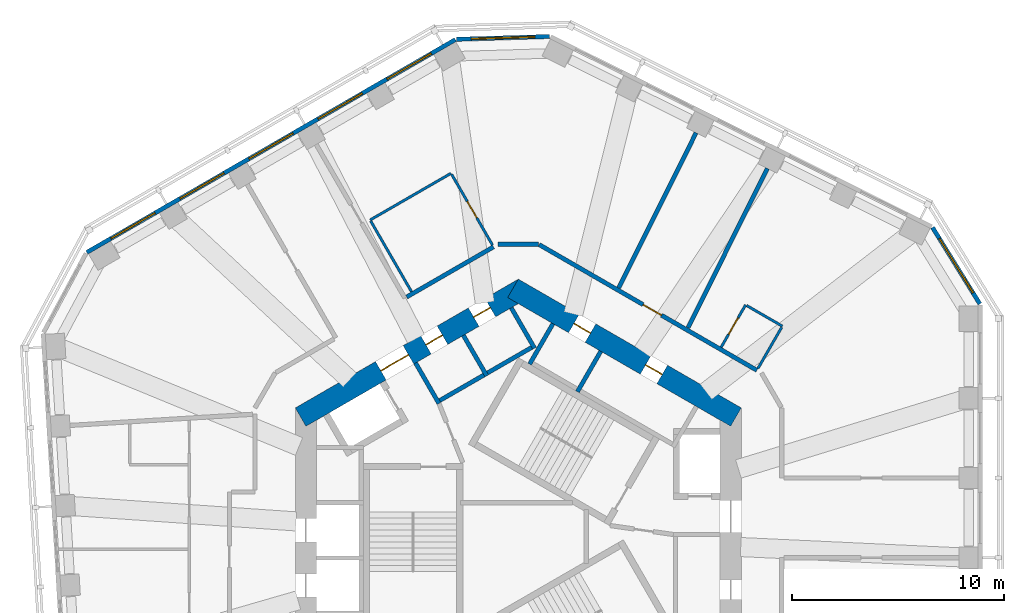
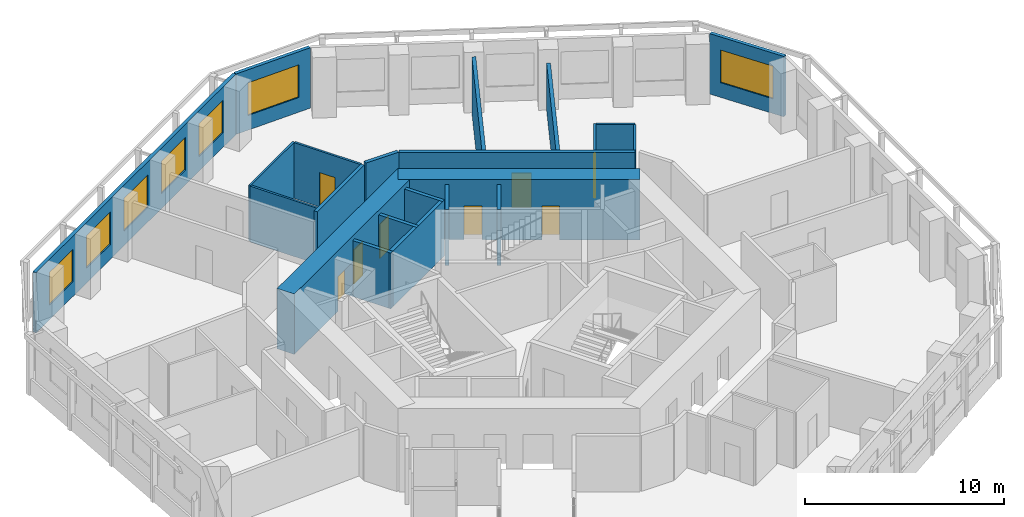
# One storey, part 7 of 11: 22 walls, 8 doors, 7 windows, 15 openings.
"""IFC4 building model written with IfcOpenShell, lengths in metres."""

from ifc_helpers import new_model, si_unit, direction, frame, frame_2d, origin, place, context, subcontext, project, spatial, rectangle, extrude, material, layer, layer_set, type_object, element, fill, save


model = new_model("IFC4")

# Units and contexts
model_context = context("Model", 3, precision=1e-05, world=origin(), true_north=direction((0.0, 1.0)))
body_context = subcontext(model_context, "Body", "Model", "MODEL_VIEW")
ifc_project = project(units=[si_unit("LENGTHUNIT", "METRE"), si_unit("AREAUNIT", "SQUARE_METRE"), si_unit("VOLUMEUNIT", "CUBIC_METRE"), si_unit("PLANEANGLEUNIT", "RADIAN"), si_unit("MASSUNIT", "GRAM", prefix="KILO")], contexts=[model_context])

# Site, building, storey
site_placement = place(None, origin())
site = spatial("IfcSite", under=ifc_project, at=site_placement, CompositionType="ELEMENT")
building_placement = place(site_placement, origin())
building = spatial("IfcBuilding", under=site, at=building_placement, Name="Vanh Sen Convention Tower", CompositionType="ELEMENT")
storey_placement = place(building_placement, frame((0.0, 0.0, 154.0)))
storey = spatial("IfcBuildingStorey", under=building, at=storey_placement, Name="L37", CompositionType="ELEMENT", Elevation=154.0)

# Walls
ifc_material_1 = material(Name="Moisture-resistant gypsum board on steel studs", Category="steel")
ifc_layer_1 = layer(ifc_material_1, 0.1201171875)
ifc_layer_set_1 = layer_set([ifc_layer_1], Name="Moisture-resistant gypsum board on steel studs")
wall_type_1 = type_object("IfcWallType", Name="Bathroom partition 120", PredefinedType="PARTITIONING", material=ifc_layer_set_1)
wall_1_placement = place(storey_placement, frame((-6.97705078125, 14.908935546875, 0.0), z_axis=(0.0, 0.0, 1.0), x_axis=(0.866032203192, 0.499988222896, 0.0)))
element("IfcWall", 1, at=wall_1_placement, inside=storey, type_object=wall_type_1, Name="Bathroom partition 120", PredefinedType="PARTITIONING", context=body_context, shape_type="SweptSolid", body=[
    extrude(rectangle(XDim=4.39990234375, YDim=0.1201171875, at=frame_2d((2.199951171875, 0.0))), origin(), (0.0, 0.0, 1.0), 3.419921875),
])
wall_2_placement = place(storey_placement, frame((-5.027099609375, 11.531494140625, 0.0), z_axis=(0.0, 0.0, 1.0), x_axis=(-0.499995802899, 0.866027826969, 0.0)))
element("IfcWall", 2, at=wall_2_placement, inside=storey, type_object=wall_type_1, Name="Bathroom partition 120", PredefinedType="PARTITIONING", context=body_context, shape_type="SweptSolid", body=[
    extrude(rectangle(XDim=3.83984375, YDim=0.1201171875, at=frame_2d((1.919921875, 0.0))), origin(), (0.0, 0.0, 1.0), 3.419921875),
])

# Wall, opening, door
wall_3_placement = place(storey_placement, frame((-3.136474609375, 17.056884765625, 0.0), z_axis=(0.0, 0.0, 1.0), x_axis=(0.499995802899, -0.866027826969, 0.0)))
wall_3 = element("IfcWall", 3, at=wall_3_placement, inside=storey, type_object=wall_type_1, Name="Bathroom partition 120", PredefinedType="PARTITIONING", context=body_context, shape_type="SweptSolid", body=[
    extrude(rectangle(XDim=3.83984375, YDim=0.1201171875, at=frame_2d((1.919921875, 0.0))), origin(), (0.0, 0.0, 1.0), 3.419921875),
])
opening_1_placement = place(wall_3_placement, frame((1.469970703125, 0.0, 0.0)))
opening_1 = element("IfcOpeningElement", 4, at=opening_1_placement, cuts=wall_3, Name="Opening D35105", PredefinedType="OPENING", context=body_context, shape_type="SweptSolid", body=[
    extrude(rectangle(XDim=0.89990234375, YDim=2.10009765625, at=frame_2d((0.449951171875, 1.050048828125))), frame((0.0, 0.070068359375, 0.0), z_axis=(0.0, -1.0, 0.0), x_axis=(1.0, 0.0, 0.0)), (0.0, 0.0, 1.0), 0.14013671875),
])
ifc_material_2 = material(Name="Laminate door in steel frame", Category="steel")
door_type_1 = type_object("IfcDoorType", Name="Room internal door 900", OperationType="SINGLE_SWING_LEFT", PredefinedType="DOOR", material=ifc_material_2)
door_1_placement = place(opening_1_placement, origin())
door_1 = element("IfcDoor", 5, at=door_1_placement, inside=storey, type_object=door_type_1, Name="Internal room door D35105", OperationType="SINGLE_SWING_LEFT", OverallHeight=2.10009765625, OverallWidth=0.89990234375, PredefinedType="DOOR", context=body_context, shape_type="SweptSolid", body=[
    extrude(rectangle(XDim=0.89990234375, YDim=2.10009765625, at=frame_2d((0.449951171875, 1.050048828125))), frame((0.0, 0.02490234375, 0.0), z_axis=(0.0, -1.0, 0.0), x_axis=(1.0, 0.0, 0.0)), (0.0, 0.0, 1.0), 0.050048828125),
])
fill(opening_1, door_1)

wall_4_placement = place(storey_placement, frame((9.551513671875, 8.919189453125, 0.0), z_axis=(0.0, 0.0, 1.0), x_axis=(0.499952165731, 0.866053019151, 0.0)))
wall_4 = element("IfcWall", 6, at=wall_4_placement, inside=storey, type_object=wall_type_1, Name="Bathroom partition 120", PredefinedType="PARTITIONING", context=body_context, shape_type="SweptSolid", body=[
    extrude(rectangle(XDim=2.300048828125, YDim=0.1201171875, at=frame_2d((1.14990234375, 0.0))), origin(), (0.0, 0.0, 1.0), 3.419921875),
])
opening_2_placement = place(wall_4_placement, frame((0.699951171875, 0.0, 0.0)))
opening_2 = element("IfcOpeningElement", 7, at=opening_2_placement, cuts=wall_4, Name="Opening D35102", PredefinedType="OPENING", context=body_context, shape_type="SweptSolid", body=[
    extrude(rectangle(XDim=0.89990234375, YDim=2.10009765625, at=frame_2d((0.449951171875, 1.050048828125))), frame((0.0, 0.070068359375, 0.0), z_axis=(0.0, -1.0, 0.0), x_axis=(1.0, 0.0, 0.0)), (0.0, 0.0, 1.0), 0.14013671875),
])
door_2_placement = place(opening_2_placement, origin())
door_2 = element("IfcDoor", 8, at=door_2_placement, inside=storey, type_object=door_type_1, Name="Internal room door D35102", OperationType="SINGLE_SWING_LEFT", OverallHeight=2.10009765625, OverallWidth=0.89990234375, PredefinedType="DOOR", context=body_context, shape_type="SweptSolid", body=[
    extrude(rectangle(XDim=0.89990234375, YDim=2.10009765625, at=frame_2d((0.449951171875, 1.050048828125))), frame((0.0, 0.02490234375, 0.0), z_axis=(0.0, -1.0, 0.0), x_axis=(1.0, 0.0, 0.0)), (0.0, 0.0, 1.0), 0.050048828125),
])
fill(opening_2, door_2)

# Walls
wall_5_placement = place(storey_placement, frame((10.75341796875, 10.881103515625, 0.0), z_axis=(0.0, 0.0, 1.0), x_axis=(0.866043088465, -0.499969367985, 0.0)))
element("IfcWall", 9, at=wall_5_placement, inside=storey, type_object=wall_type_1, Name="Bathroom partition 120", PredefinedType="PARTITIONING", context=body_context, shape_type="SweptSolid", body=[
    extrude(rectangle(XDim=1.93994140625, YDim=0.1201171875, at=frame_2d((0.969970703125, 0.0))), origin(), (0.0, 0.0, 1.0), 3.419921875),
])
wall_6_placement = place(storey_placement, frame((12.403564453125, 9.859130859375, 0.0), z_axis=(0.0, 0.0, 1.0), x_axis=(-0.500030632641, -0.866007717299, 0.0)))
element("IfcWall", 10, at=wall_6_placement, inside=storey, type_object=wall_type_1, Name="Bathroom partition 120", PredefinedType="PARTITIONING", context=body_context, shape_type="SweptSolid", body=[
    extrude(rectangle(XDim=2.239990234375, YDim=0.1201171875, at=frame_2d((1.1201171875, 0.0))), origin(), (0.0, 0.0, 1.0), 3.419921875),
])

# Wall, openings, doors
ifc_material_3 = material(Name="Concrete C80/95", Category="concrete")
ifc_layer_2 = layer(ifc_material_3, 1.0)
ifc_layer_set_2 = layer_set([ifc_layer_2], Name="Concrete C80/95")
wall_type_2 = type_object("IfcWallType", Name="Core outer wall 1000 C80/95", PredefinedType="SHEAR", material=ifc_layer_set_2)
wall_7_placement = place(storey_placement, frame((10.25, 5.629150390625, 0.0), z_axis=(0.0, 0.0, 1.0), x_axis=(-0.866022616891, 0.50000482701, 0.0)))
wall_7 = element("IfcWall", 11, at=wall_7_placement, inside=storey, type_object=wall_type_2, Name="Core wall face NE L37", PredefinedType="SHEAR", context=body_context, shape_type="SweptSolid", body=[
    extrude(rectangle(XDim=12.12451171875, YDim=1.0, at=frame_2d((6.062255859375, 0.0))), origin(), (0.0, 0.0, 1.0), 3.699951171875),
])
opening_3_placement = place(wall_7_placement, frame((4.01220703125, 0.0, 0.0)))
opening_3 = element("IfcOpeningElement", 12, at=opening_3_placement, cuts=wall_7, Name="Opening D35011", PredefinedType="OPENING", context=body_context, shape_type="SweptSolid", body=[
    extrude(rectangle(XDim=0.89990234375, YDim=2.10009765625, at=frame_2d((0.449951171875, 1.050048828125))), frame((0.0, 0.510009765625, 0.0), z_axis=(0.0, -1.0, 0.0), x_axis=(1.0, 0.0, 0.0)), (0.0, 0.0, 1.0), 1.02001953125),
])
opening_4_placement = place(wall_7_placement, frame((7.912109375, 0.0, 0.0)))
opening_4 = element("IfcOpeningElement", 13, at=opening_4_placement, cuts=wall_7, Name="Opening D35012", PredefinedType="OPENING", context=body_context, shape_type="SweptSolid", body=[
    extrude(rectangle(XDim=0.89990234375, YDim=2.10009765625, at=frame_2d((0.449951171875, 1.050048828125))), frame((0.0, 0.510009765625, 0.0), z_axis=(0.0, -1.0, 0.0), x_axis=(1.0, 0.0, 0.0)), (0.0, 0.0, 1.0), 1.02001953125),
])
ifc_material_4 = material(Name="Steel S355", Category="steel")
door_type_2 = type_object("IfcDoorType", Name="Plant door 900", OperationType="SINGLE_SWING_LEFT", PredefinedType="DOOR", material=ifc_material_4)
door_3_placement = place(opening_3_placement, origin())
door_3 = element("IfcDoor", 14, at=door_3_placement, inside=storey, type_object=door_type_2, Name="Plant door D35011", OperationType="SINGLE_SWING_LEFT", OverallHeight=2.10009765625, OverallWidth=0.89990234375, PredefinedType="DOOR", context=body_context, shape_type="SweptSolid", body=[
    extrude(rectangle(XDim=0.89990234375, YDim=2.10009765625, at=frame_2d((0.449951171875, 1.050048828125))), frame((0.0, 0.02490234375, 0.0), z_axis=(0.0, -1.0, 0.0), x_axis=(1.0, 0.0, 0.0)), (0.0, 0.0, 1.0), 0.050048828125),
])
fill(opening_3, door_3)
door_4_placement = place(opening_4_placement, origin())
door_4 = element("IfcDoor", 15, at=door_4_placement, inside=storey, type_object=door_type_2, Name="Plant door D35012", OperationType="SINGLE_SWING_LEFT", OverallHeight=2.10009765625, OverallWidth=0.89990234375, PredefinedType="DOOR", context=body_context, shape_type="SweptSolid", body=[
    extrude(rectangle(XDim=0.89990234375, YDim=2.10009765625, at=frame_2d((0.449951171875, 1.050048828125))), frame((0.0, 0.02490234375, 0.0), z_axis=(0.0, -1.0, 0.0), x_axis=(1.0, 0.0, 0.0)), (0.0, 0.0, 1.0), 0.050048828125),
])
fill(opening_4, door_4)

wall_8_placement = place(storey_placement, frame((0.25, 11.69140625, 0.0), z_axis=(0.0, 0.0, 1.0), x_axis=(-0.866022616891, -0.50000482701, 0.0)))
wall_8 = element("IfcWall", 16, at=wall_8_placement, inside=storey, type_object=wall_type_2, Name="Core wall face NW L37", PredefinedType="SHEAR", context=body_context, shape_type="SweptSolid", body=[
    extrude(rectangle(XDim=12.12451171875, YDim=1.0, at=frame_2d((6.062255859375, 0.0))), origin(), (0.0, 0.0, 1.0), 3.699951171875),
])
opening_5_placement = place(wall_8_placement, frame((6.26220703125, 0.0, 0.0)))
opening_5 = element("IfcOpeningElement", 17, at=opening_5_placement, cuts=wall_8, Name="Opening D35002", PredefinedType="OPENING", context=body_context, shape_type="SweptSolid", body=[
    extrude(rectangle(XDim=1.5, YDim=2.10009765625, at=frame_2d((0.75, 1.050048828125))), frame((0.0, 0.510009765625, 0.0), z_axis=(0.0, -1.0, 0.0), x_axis=(1.0, 0.0, 0.0)), (0.0, 0.0, 1.0), 1.02001953125),
])
opening_6_placement = place(wall_8_placement, frame((1.812255859375, 0.0, 0.0)))
opening_6 = element("IfcOpeningElement", 18, at=opening_6_placement, cuts=wall_8, Name="Opening D35013", PredefinedType="OPENING", context=body_context, shape_type="SweptSolid", body=[
    extrude(rectangle(XDim=0.89990234375, YDim=2.10009765625, at=frame_2d((0.449951171875, 1.050048828125))), frame((0.0, 0.510009765625, 0.0), z_axis=(0.0, -1.0, 0.0), x_axis=(1.0, 0.0, 0.0)), (0.0, 0.0, 1.0), 1.02001953125),
])
opening_7_placement = place(wall_8_placement, frame((4.412109375, 0.0, 0.0)))
opening_7 = element("IfcOpeningElement", 19, at=opening_7_placement, cuts=wall_8, Name="Opening D35014", PredefinedType="OPENING", context=body_context, shape_type="SweptSolid", body=[
    extrude(rectangle(XDim=0.89990234375, YDim=2.10009765625, at=frame_2d((0.449951171875, 1.050048828125))), frame((0.0, 0.510009765625, 0.0), z_axis=(0.0, -1.0, 0.0), x_axis=(1.0, 0.0, 0.0)), (0.0, 0.0, 1.0), 1.02001953125),
])
door_5_placement = place(opening_6_placement, origin())
door_5 = element("IfcDoor", 20, at=door_5_placement, inside=storey, type_object=door_type_2, Name="Plant door D35013", OperationType="SINGLE_SWING_LEFT", OverallHeight=2.10009765625, OverallWidth=0.89990234375, PredefinedType="DOOR", context=body_context, shape_type="SweptSolid", body=[
    extrude(rectangle(XDim=0.89990234375, YDim=2.10009765625, at=frame_2d((0.449951171875, 1.050048828125))), frame((0.0, 0.02490234375, 0.0), z_axis=(0.0, -1.0, 0.0), x_axis=(1.0, 0.0, 0.0)), (0.0, 0.0, 1.0), 0.050048828125),
])
fill(opening_6, door_5)
door_6_placement = place(opening_7_placement, origin())
door_6 = element("IfcDoor", 21, at=door_6_placement, inside=storey, type_object=door_type_2, Name="Plant door D35014", OperationType="SINGLE_SWING_LEFT", OverallHeight=2.10009765625, OverallWidth=0.89990234375, PredefinedType="DOOR", context=body_context, shape_type="SweptSolid", body=[
    extrude(rectangle(XDim=0.89990234375, YDim=2.10009765625, at=frame_2d((0.449951171875, 1.050048828125))), frame((0.0, 0.02490234375, 0.0), z_axis=(0.0, -1.0, 0.0), x_axis=(1.0, 0.0, 0.0)), (0.0, 0.0, 1.0), 0.050048828125),
])
fill(opening_7, door_6)
door_type_3 = type_object("IfcDoorType", Name="Stair lobby door 1500", OperationType="DOUBLE_DOOR_SINGLE_SWING", PredefinedType="DOOR", material=ifc_material_4)
door_7_placement = place(opening_5_placement, origin())
door_7 = element("IfcDoor", 22, at=door_7_placement, inside=storey, type_object=door_type_3, Name="Stair lobby door D35002", OperationType="DOUBLE_DOOR_SINGLE_SWING", OverallHeight=2.10009765625, OverallWidth=1.5, PredefinedType="DOOR", context=body_context, shape_type="SweptSolid", body=[
    extrude(rectangle(XDim=1.5, YDim=2.10009765625, at=frame_2d((0.75, 1.050048828125))), frame((0.0, 0.02490234375, 0.0), z_axis=(0.0, -1.0, 0.0), x_axis=(1.0, 0.0, 0.0)), (0.0, 0.0, 1.0), 0.050048828125),
])
fill(opening_5, door_7)

# Walls
ifc_material_5 = material(Name="Gypsum board on steel studs with mineral wool", Category="steel")
ifc_layer_3 = layer(ifc_material_5, 0.199951171875)
ifc_layer_set_3 = layer_set([ifc_layer_3], Name="Gypsum board on steel studs with mineral wool")
wall_type_3 = type_object("IfcWallType", Name="Corridor partition wall 200", PredefinedType="PARTITIONING", material=ifc_layer_set_3)
wall_9_placement = place(storey_placement, frame((-1.16650390625, 13.644775390625, 0.0), z_axis=(0.0, 0.0, 1.0), x_axis=(-0.866034830959, -0.499983671299, 0.0)))
element("IfcWall", 23, at=wall_9_placement, inside=storey, type_object=wall_type_3, Name="Corridor partition wall 200", PredefinedType="PARTITIONING", context=body_context, shape_type="SweptSolid", body=[
    extrude(rectangle(XDim=4.719482421875, YDim=0.199951171875, at=frame_2d((2.35986328125, 0.0))), origin(), (0.0, 0.0, 1.0), 3.419921875),
])
wall_10_placement = place(storey_placement, frame((0.949951171875, 13.769775390625, 0.0), z_axis=(0.0, 0.0, 1.0), x_axis=(-1.0, 0.0, 0.0)))
element("IfcWall", 24, at=wall_10_placement, inside=storey, type_object=wall_type_3, Name="Corridor partition wall 200", PredefinedType="PARTITIONING", context=body_context, shape_type="SweptSolid", body=[
    extrude(rectangle(XDim=1.89990234375, YDim=0.199951171875, at=frame_2d((0.949951171875, 0.0))), origin(), (0.0, 0.0, 1.0), 3.419921875),
])

# Wall, opening, door
wall_11_placement = place(storey_placement, frame((11.2333984375, 7.83251953125, 0.0), z_axis=(0.0, 0.0, 1.0), x_axis=(-0.866021713988, 0.50000639086, 0.0)))
wall_11 = element("IfcWall", 25, at=wall_11_placement, inside=storey, type_object=wall_type_3, Name="Corridor partition wall 200", PredefinedType="PARTITIONING", context=body_context, shape_type="SweptSolid", body=[
    extrude(rectangle(XDim=11.834228515625, YDim=0.199951171875, at=frame_2d((5.9169921875, 0.0))), origin(), (0.0, 0.0, 1.0), 3.419921875),
])
opening_8_placement = place(wall_11_placement, frame((5.184814453125, 0.0, 0.0)))
opening_8 = element("IfcOpeningElement", 26, at=opening_8_placement, cuts=wall_11, Name="Opening D35103", PredefinedType="OPENING", context=body_context, shape_type="SweptSolid", body=[
    extrude(rectangle(XDim=1.0, YDim=2.10009765625, at=frame_2d((0.5, 1.050048828125))), frame((0.0, 0.10986328125, 0.0), z_axis=(0.0, -1.0, 0.0), x_axis=(1.0, 0.0, 0.0)), (0.0, 0.0, 1.0), 0.219970703125),
])
ifc_material_6 = material(Name="Glazed fire door in steel frame", Category="steel")
door_type_4 = type_object("IfcDoorType", Name="Tenant entrance door 1000", OperationType="SINGLE_SWING_LEFT", PredefinedType="DOOR", material=ifc_material_6)
door_8_placement = place(opening_8_placement, origin())
door_8 = element("IfcDoor", 27, at=door_8_placement, inside=storey, type_object=door_type_4, Name="Tenant suite entrance door D35103", OperationType="SINGLE_SWING_LEFT", OverallHeight=2.10009765625, OverallWidth=1.0, PredefinedType="DOOR", context=body_context, shape_type="SweptSolid", body=[
    extrude(rectangle(XDim=1.0, YDim=2.10009765625, at=frame_2d((0.5, 1.050048828125))), frame((0.0, 0.02490234375, 0.0), z_axis=(0.0, -1.0, 0.0), x_axis=(1.0, 0.0, 0.0)), (0.0, 0.0, 1.0), 0.050048828125),
])
fill(opening_8, door_8)

# Wall, opening, window
ifc_material_7 = material(Name="Insulated lightweight infill wall")
ifc_layer_4 = layer(ifc_material_7, 0.199951171875)
ifc_layer_set_4 = layer_set([ifc_layer_4], Name="Insulated lightweight infill wall")
wall_type_4 = type_object("IfcWallType", Name="External wall 200", PredefinedType="STANDARD", material=ifc_layer_set_4)
wall_12_placement = place(storey_placement, frame((21.735107421875, 10.9580078125, 0.0), z_axis=(0.0, 0.0, 1.0), x_axis=(-0.526213807775, 0.850352296702, 0.0)))
wall_12 = element("IfcWall", 28, at=wall_12_placement, inside=storey, type_object=wall_type_4, Name="External wall CH1 L37", PredefinedType="STANDARD", context=body_context, shape_type="SweptSolid", body=[
    extrude(rectangle(XDim=4.23828125, YDim=0.199951171875, at=frame_2d((2.119140625, 0.0))), origin(), (0.0, 0.0, 1.0), 3.699951171875),
])
opening_9_placement = place(wall_12_placement, frame((0.619140625, 0.0, 0.89990234375)))
opening_9 = element("IfcOpeningElement", 29, at=opening_9_placement, cuts=wall_12, Name="Opening WO2-CH11", PredefinedType="OPENING", context=body_context, shape_type="SweptSolid", body=[
    extrude(rectangle(XDim=3.0, YDim=2.0, at=frame_2d((1.5, 1.0))), frame((0.0, 0.10986328125, 0.0), z_axis=(0.0, -1.0, 0.0), x_axis=(1.0, 0.0, 0.0)), (0.0, 0.0, 1.0), 0.219970703125),
])
ifc_material_8 = material(Name="Aluminium frame with clear low-emissivity glass", Category="aluminium")
window_type_1 = type_object("IfcWindowType", Name="Office window 3000 x 2000", PartitioningType="SINGLE_PANEL", PredefinedType="WINDOW", material=ifc_material_8)
window_1_placement = place(opening_9_placement, origin())
window_1 = element("IfcWindow", 30, at=window_1_placement, inside=storey, type_object=window_type_1, Name="Window WO2-CH11", OverallHeight=2.0, OverallWidth=3.0, PartitioningType="SINGLE_PANEL", PredefinedType="WINDOW", context=body_context, shape_type="SweptSolid", body=[
    extrude(rectangle(XDim=3.0, YDim=2.0, at=frame_2d((1.5, 1.0))), frame((0.0, 0.030029296875, 0.0), z_axis=(0.0, -1.0, 0.0), x_axis=(1.0, 0.0, 0.0)), (0.0, 0.0, 1.0), 0.06005859375),
])
fill(opening_9, window_1)

wall_13_placement = place(storey_placement, frame((1.478759765625, 23.552734375, 0.0), z_axis=(0.0, 0.0, 1.0), x_axis=(-0.999534786117, -0.03049936625, 0.0)))
wall_13 = element("IfcWall", 31, at=wall_13_placement, inside=storey, type_object=wall_type_4, Name="External wall CH2 L37", PredefinedType="STANDARD", context=body_context, shape_type="SweptSolid", body=[
    extrude(rectangle(XDim=4.39453125, YDim=0.199951171875, at=frame_2d((2.197265625, 0.0))), origin(), (0.0, 0.0, 1.0), 3.699951171875),
])
opening_10_placement = place(wall_13_placement, frame((0.697509765625, 0.0, 0.89990234375)))
opening_10 = element("IfcOpeningElement", 32, at=opening_10_placement, cuts=wall_13, Name="Opening WO2-CH21", PredefinedType="OPENING", context=body_context, shape_type="SweptSolid", body=[
    extrude(rectangle(XDim=3.0, YDim=2.0, at=frame_2d((1.5, 1.0))), frame((0.0, 0.10986328125, 0.0), z_axis=(0.0, -1.0, 0.0), x_axis=(1.0, 0.0, 0.0)), (0.0, 0.0, 1.0), 0.219970703125),
])
window_2_placement = place(opening_10_placement, origin())
window_2 = element("IfcWindow", 33, at=window_2_placement, inside=storey, type_object=window_type_1, Name="Window WO2-CH21", OverallHeight=2.0, OverallWidth=3.0, PartitioningType="SINGLE_PANEL", PredefinedType="WINDOW", context=body_context, shape_type="SweptSolid", body=[
    extrude(rectangle(XDim=3.0, YDim=2.0, at=frame_2d((1.5, 1.0))), frame((0.0, 0.030029296875, 0.0), z_axis=(0.0, -1.0, 0.0), x_axis=(1.0, 0.0, 0.0)), (0.0, 0.0, 1.0), 0.06005859375),
])
fill(opening_10, window_2)

# Wall, openings, windows
wall_14_placement = place(storey_placement, frame((-2.9609375, 23.4052734375, 0.0), z_axis=(0.0, 0.0, 1.0), x_axis=(-0.866023315909, -0.500003616288, 0.0)))
wall_14 = element("IfcWall", 34, at=wall_14_placement, inside=storey, type_object=wall_type_4, Name="External wall NW L37", PredefinedType="STANDARD", context=body_context, shape_type="SweptSolid", body=[
    extrude(rectangle(XDim=20.043701171875, YDim=0.199951171875, at=frame_2d((10.02197265625, 0.0))), origin(), (0.0, 0.0, 1.0), 3.699951171875),
])
opening_11_placement = place(wall_14_placement, frame((1.314453125, 0.0, 0.89990234375)))
opening_11 = element("IfcOpeningElement", 35, at=opening_11_placement, cuts=wall_14, Name="Opening WO1-NW1", PredefinedType="OPENING", context=body_context, shape_type="SweptSolid", body=[
    extrude(rectangle(XDim=2.39990234375, YDim=2.0, at=frame_2d((1.199951171875, 1.0))), frame((0.0, 0.10986328125, 0.0), z_axis=(0.0, -1.0, 0.0), x_axis=(1.0, 0.0, 0.0)), (0.0, 0.0, 1.0), 0.219970703125),
])
opening_12_placement = place(wall_14_placement, frame((5.068603515625, 0.0, 0.89990234375)))
opening_12 = element("IfcOpeningElement", 36, at=opening_12_placement, cuts=wall_14, Name="Opening WO1-NW2", PredefinedType="OPENING", context=body_context, shape_type="SweptSolid", body=[
    extrude(rectangle(XDim=2.39990234375, YDim=2.0, at=frame_2d((1.199951171875, 1.0))), frame((0.0, 0.10986328125, 0.0), z_axis=(0.0, -1.0, 0.0), x_axis=(1.0, 0.0, 0.0)), (0.0, 0.0, 1.0), 0.219970703125),
])
opening_13_placement = place(wall_14_placement, frame((8.82275390625, 0.0, 0.89990234375)))
opening_13 = element("IfcOpeningElement", 37, at=opening_13_placement, cuts=wall_14, Name="Opening WO1-NW3", PredefinedType="OPENING", context=body_context, shape_type="SweptSolid", body=[
    extrude(rectangle(XDim=2.39990234375, YDim=2.0, at=frame_2d((1.199951171875, 1.0))), frame((0.0, 0.10986328125, 0.0), z_axis=(0.0, -1.0, 0.0), x_axis=(1.0, 0.0, 0.0)), (0.0, 0.0, 1.0), 0.219970703125),
])
opening_14_placement = place(wall_14_placement, frame((12.576904296875, 0.0, 0.89990234375)))
opening_14 = element("IfcOpeningElement", 38, at=opening_14_placement, cuts=wall_14, Name="Opening WO1-NW4", PredefinedType="OPENING", context=body_context, shape_type="SweptSolid", body=[
    extrude(rectangle(XDim=2.39990234375, YDim=2.0, at=frame_2d((1.199951171875, 1.0))), frame((0.0, 0.10986328125, 0.0), z_axis=(0.0, -1.0, 0.0), x_axis=(1.0, 0.0, 0.0)), (0.0, 0.0, 1.0), 0.219970703125),
])
opening_15_placement = place(wall_14_placement, frame((16.330810546875, 0.0, 0.89990234375)))
opening_15 = element("IfcOpeningElement", 39, at=opening_15_placement, cuts=wall_14, Name="Opening WO1-NW5", PredefinedType="OPENING", context=body_context, shape_type="SweptSolid", body=[
    extrude(rectangle(XDim=2.39990234375, YDim=2.0, at=frame_2d((1.199951171875, 1.0))), frame((0.0, 0.10986328125, 0.0), z_axis=(0.0, -1.0, 0.0), x_axis=(1.0, 0.0, 0.0)), (0.0, 0.0, 1.0), 0.219970703125),
])
window_type_2 = type_object("IfcWindowType", Name="Office window 2400 x 2000", PartitioningType="SINGLE_PANEL", PredefinedType="WINDOW", material=ifc_material_8)
window_3_placement = place(opening_11_placement, origin())
window_3 = element("IfcWindow", 40, at=window_3_placement, inside=storey, type_object=window_type_2, Name="Window WO1-NW1", OverallHeight=2.0, OverallWidth=2.39990234375, PartitioningType="SINGLE_PANEL", PredefinedType="WINDOW", context=body_context, shape_type="SweptSolid", body=[
    extrude(rectangle(XDim=2.39990234375, YDim=2.0, at=frame_2d((1.199951171875, 1.0))), frame((0.0, 0.030029296875, 0.0), z_axis=(0.0, -1.0, 0.0), x_axis=(1.0, 0.0, 0.0)), (0.0, 0.0, 1.0), 0.06005859375),
])
fill(opening_11, window_3)
window_4_placement = place(opening_12_placement, origin())
window_4 = element("IfcWindow", 41, at=window_4_placement, inside=storey, type_object=window_type_2, Name="Window WO1-NW2", OverallHeight=2.0, OverallWidth=2.39990234375, PartitioningType="SINGLE_PANEL", PredefinedType="WINDOW", context=body_context, shape_type="SweptSolid", body=[
    extrude(rectangle(XDim=2.39990234375, YDim=2.0, at=frame_2d((1.199951171875, 1.0))), frame((0.0, 0.030029296875, 0.0), z_axis=(0.0, -1.0, 0.0), x_axis=(1.0, 0.0, 0.0)), (0.0, 0.0, 1.0), 0.06005859375),
])
fill(opening_12, window_4)
window_5_placement = place(opening_13_placement, origin())
window_5 = element("IfcWindow", 42, at=window_5_placement, inside=storey, type_object=window_type_2, Name="Window WO1-NW3", OverallHeight=2.0, OverallWidth=2.39990234375, PartitioningType="SINGLE_PANEL", PredefinedType="WINDOW", context=body_context, shape_type="SweptSolid", body=[
    extrude(rectangle(XDim=2.39990234375, YDim=2.0, at=frame_2d((1.199951171875, 1.0))), frame((0.0, 0.030029296875, 0.0), z_axis=(0.0, -1.0, 0.0), x_axis=(1.0, 0.0, 0.0)), (0.0, 0.0, 1.0), 0.06005859375),
])
fill(opening_13, window_5)
window_6_placement = place(opening_14_placement, origin())
window_6 = element("IfcWindow", 43, at=window_6_placement, inside=storey, type_object=window_type_2, Name="Window WO1-NW4", OverallHeight=2.0, OverallWidth=2.39990234375, PartitioningType="SINGLE_PANEL", PredefinedType="WINDOW", context=body_context, shape_type="SweptSolid", body=[
    extrude(rectangle(XDim=2.39990234375, YDim=2.0, at=frame_2d((1.199951171875, 1.0))), frame((0.0, 0.030029296875, 0.0), z_axis=(0.0, -1.0, 0.0), x_axis=(1.0, 0.0, 0.0)), (0.0, 0.0, 1.0), 0.06005859375),
])
fill(opening_14, window_6)
window_7_placement = place(opening_15_placement, origin())
window_7 = element("IfcWindow", 44, at=window_7_placement, inside=storey, type_object=window_type_2, Name="Window WO1-NW5", OverallHeight=2.0, OverallWidth=2.39990234375, PartitioningType="SINGLE_PANEL", PredefinedType="WINDOW", context=body_context, shape_type="SweptSolid", body=[
    extrude(rectangle(XDim=2.39990234375, YDim=2.0, at=frame_2d((1.199951171875, 1.0))), frame((0.0, 0.030029296875, 0.0), z_axis=(0.0, -1.0, 0.0), x_axis=(1.0, 0.0, 0.0)), (0.0, 0.0, 1.0), 0.06005859375),
])
fill(opening_15, window_7)

# Walls
ifc_material_9 = material(Name="Concrete C40/50", Category="concrete")
ifc_layer_5 = layer(ifc_material_9, 0.199951171875)
ifc_layer_set_5 = layer_set([ifc_layer_5], Name="Concrete C40/50")
wall_type_5 = type_object("IfcWallType", Name="Lift shaft wall 200", PredefinedType="PARTITIONING", material=ifc_layer_set_5)
for number, where, z_axis, x_axis, name in (
    (45, (2.783935546875, 6.822021484375, 0.0), (0.0, 0.0, 1.0), (0.50002983664, 0.866008176907, 0.0), "Lift shaft wall L37"),
    (46, (0.5322265625, 8.1220703125, 0.0), (0.0, 0.0, 1.0), (0.500077893725, 0.86598042715, 0.0), "Lift shaft wall L37"),
):
    element("IfcWall", number, at=place(storey_placement, frame(where, z_axis=z_axis, x_axis=x_axis)), inside=storey, type_object=wall_type_5, Name=name, PredefinedType="PARTITIONING", context=body_context, shape_type="SweptSolid", body=[
        extrude(rectangle(XDim=2.199951171875, YDim=0.199951171875, at=frame_2d((1.10009765625, 0.0))), origin(), (0.0, 0.0, 1.0), 3.419921875),
    ])
wall_15_placement = place(storey_placement, frame((0.80322265625, 9.008544921875, 0.0), z_axis=(0.0, 0.0, 1.0), x_axis=(-0.866028230842, -0.499995103361, 0.0)))
element("IfcWall", 47, at=wall_15_placement, inside=storey, type_object=wall_type_5, Name="Lift shaft wall L37", PredefinedType="PARTITIONING", context=body_context, shape_type="SweptSolid", body=[
    extrude(rectangle(XDim=5.39990234375, YDim=0.199951171875, at=frame_2d((2.699951171875, 0.0))), origin(), (0.0, 0.0, 1.0), 3.419921875),
])
wall_16_placement = place(storey_placement, frame((0.7666015625, 8.8720703125, 0.0), z_axis=(0.0, 0.0, 1.0), x_axis=(-0.499994660107, 0.866028486751, 0.0)))
element("IfcWall", 48, at=wall_16_placement, inside=storey, type_object=wall_type_5, Name="Lift shaft wall L37", PredefinedType="PARTITIONING", context=body_context, shape_type="SweptSolid", body=[
    extrude(rectangle(XDim=2.19970703125, YDim=0.199951171875, at=frame_2d((1.099853515625, 0.0))), origin(), (0.0, 0.0, 1.0), 3.419921875),
])
for number, where, z_axis, x_axis, name in (
    (49, (-1.48486328125, 7.572021484375, 0.0), (0.0, 0.0, 1.0), (-0.50002983664, 0.866008176907, 0.0), "Lift shaft wall L37"),
    (50, (-3.736572265625, 6.27197265625, 0.0), (0.0, 0.0, 1.0), (-0.50002983664, 0.866008176907, 0.0), "Lift shaft wall L37"),
):
    element("IfcWall", number, at=place(storey_placement, frame(where, z_axis=z_axis, x_axis=x_axis)), inside=storey, type_object=wall_type_5, Name=name, PredefinedType="PARTITIONING", context=body_context, shape_type="SweptSolid", body=[
        extrude(rectangle(XDim=2.199951171875, YDim=0.199951171875, at=frame_2d((1.10009765625, 0.0))), origin(), (0.0, 0.0, 1.0), 3.419921875),
    ])
ifc_layer_6 = layer(ifc_material_5, 0.199951171875)
ifc_layer_set_6 = layer_set([ifc_layer_6], Name="Gypsum board on steel studs with mineral wool")
wall_type_6 = type_object("IfcWallType", Name="Tenant suite wall 200", PredefinedType="PARTITIONING", material=ifc_layer_set_6)
wall_17_placement = place(storey_placement, frame((8.3701171875, 19.012939453125, 0.0), z_axis=(0.0, 0.0, 1.0), x_axis=(-0.446183598632, -0.894941448538, 0.0)))
element("IfcWall", 51, at=wall_17_placement, inside=storey, type_object=wall_type_6, Name="Tenant suite wall 200", PredefinedType="PARTITIONING", context=body_context, shape_type="SweptSolid", body=[
    extrude(rectangle(XDim=8.15625, YDim=0.199951171875, at=frame_2d((4.078125, 0.0))), origin(), (0.0, 0.0, 1.0), 3.419921875),
])
wall_18_placement = place(storey_placement, frame((11.729736328125, 17.337890625, 0.0), z_axis=(0.0, 0.0, 1.0), x_axis=(-0.446165200553, -0.894950620881, 0.0)))
element("IfcWall", 52, at=wall_18_placement, inside=storey, type_object=wall_type_6, Name="Tenant suite wall 200", PredefinedType="PARTITIONING", context=body_context, shape_type="SweptSolid", body=[
    extrude(rectangle(XDim=8.3857421875, YDim=0.199951171875, at=frame_2d((4.19287109375, 0.0))), origin(), (0.0, 0.0, 1.0), 2.8701171875),
])

save(model, "model.ifc")
